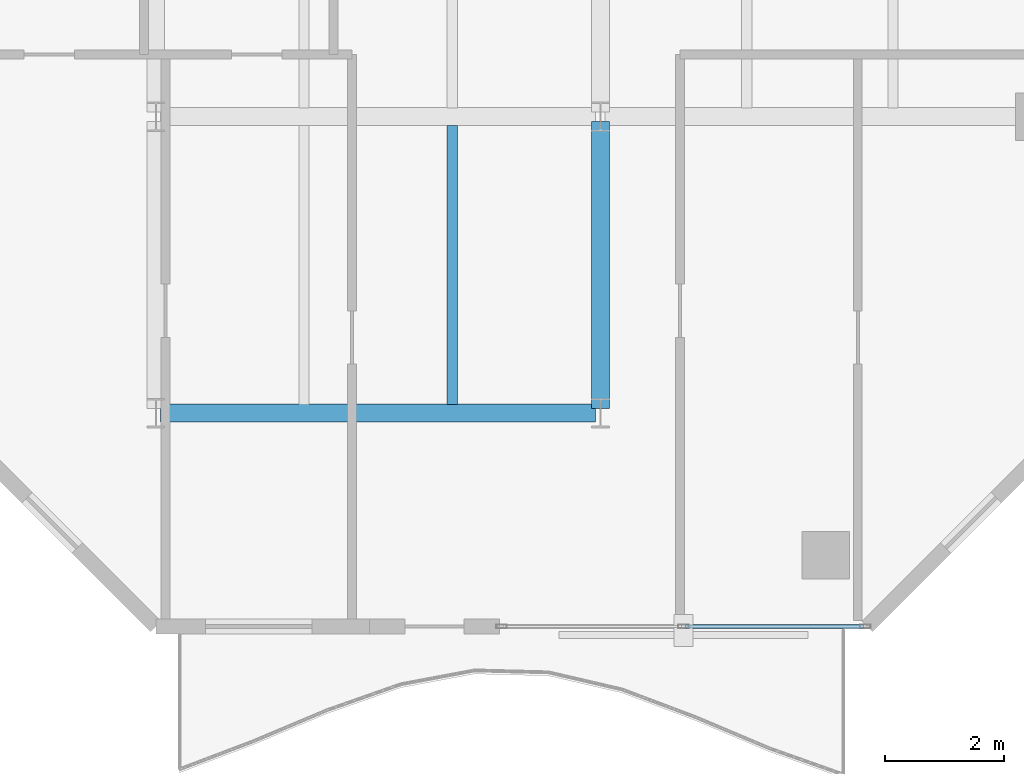
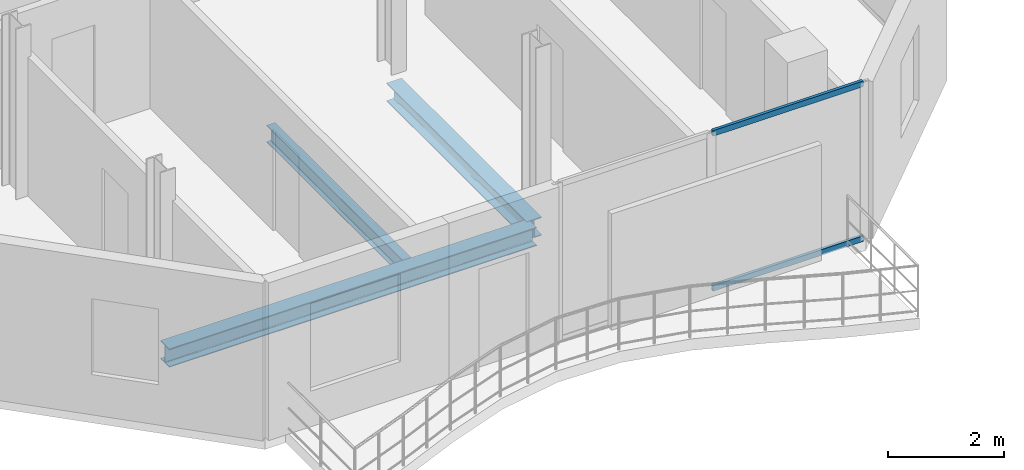
# One storey, part 4 of 24: 3 beams, 2 members, 1 element without a shape of its own.
"""IFC4 building model written with IfcOpenShell, lengths in metres."""

from ifc_helpers import new_model, si_unit, direction, frame, origin, origin_2d, place, context, subcontext, project, spatial, hollow_rectangle, i_section, extrude, material, layer, layer_set, material_profile, profile_set, type_object, element, aggregate, save


model = new_model("IFC4")

# Units and contexts
model_context = context("Model", 3, precision=1e-05, world=origin(), true_north=direction((0.0, 1.0)))
body_context = subcontext(model_context, "Body", "Model", "MODEL_VIEW")
ifc_project = project(units=[si_unit("LENGTHUNIT", "METRE"), si_unit("AREAUNIT", "SQUARE_METRE"), si_unit("VOLUMEUNIT", "CUBIC_METRE"), si_unit("PLANEANGLEUNIT", "RADIAN"), si_unit("MASSUNIT", "GRAM", prefix="KILO")], contexts=[model_context])

# Site, building, storey
site_placement = place(None, origin())
site = spatial("IfcSite", under=ifc_project, at=site_placement, CompositionType="ELEMENT")
building_placement = place(site_placement, origin())
building = spatial("IfcBuilding", under=site, at=building_placement, Name="Catumbela Crestline Tower", CompositionType="ELEMENT")
storey_placement = place(building_placement, frame((0.0, 0.0, 157.8)))
storey = spatial("IfcBuildingStorey", under=building, at=storey_placement, Name="L40", CompositionType="ELEMENT", Elevation=157.8)

# Beams
ifc_material_1 = material(Name="Structural steel S355J2", Category="steel")
ifc_material_profile_1 = material_profile(ifc_material_1, i_section(OverallWidth=0.3, OverallDepth=0.39, WebThickness=0.011, FlangeThickness=0.019, FilletRadius=0.027, at=origin_2d()), Name="HEA 400")
ifc_profile_set_1 = profile_set([ifc_material_profile_1], Name="Structural steel S355J2")
beam_type_1 = type_object("IfcBeamType", Name="BG-HEA400", PredefinedType="BEAM", material=ifc_profile_set_1)
beam_1_placement = place(storey_placement, frame((8.58, 8.6, -0.455), z_axis=(1.0, 0.0, 0.0), x_axis=(0.0, 1.0, 0.0)))
element("IfcBeam", 1, at=beam_1_placement, inside=storey, type_object=beam_type_1, Name="L40 Beam BM-L40-WEW32", PredefinedType="BEAM", context=body_context, shape_type="SweptSolid", body=[
    extrude(i_section(OverallWidth=0.3, OverallDepth=0.39, WebThickness=0.011, FlangeThickness=0.019, FilletRadius=0.027, at=origin_2d()), origin(), (0.0, 0.0, 1.0), 7.34),
])
beam_2_placement = place(storey_placement, frame((16.0, 8.68, -0.455), z_axis=(0.0, 1.0, 0.0), x_axis=(-1.0, 0.0, 0.0)))
element("IfcBeam", 2, at=beam_2_placement, inside=storey, type_object=beam_type_1, Name="L40 Beam BM-L40-WNS40", PredefinedType="BEAM", context=body_context, shape_type="SweptSolid", body=[
    extrude(i_section(OverallWidth=0.3, OverallDepth=0.39, WebThickness=0.011, FlangeThickness=0.019, FilletRadius=0.027, at=origin_2d()), origin(), (0.0, 0.0, 1.0), 4.84),
])
ifc_material_profile_2 = material_profile(ifc_material_1, i_section(OverallWidth=0.17, OverallDepth=0.36, WebThickness=0.008, FlangeThickness=0.0127, FilletRadius=0.018, at=origin_2d()), Name="IPE 360")
ifc_profile_set_2 = profile_set([ifc_material_profile_2], Name="Structural steel S355J2")
beam_type_2 = type_object("IfcBeamType", Name="BJ-IPE360", PredefinedType="JOIST", material=ifc_profile_set_2)
beam_3_placement = place(storey_placement, frame((13.5, 8.747, -0.44), z_axis=(0.0, 1.0, 0.0), x_axis=(-1.0, 0.0, 0.0)))
element("IfcBeam", 3, at=beam_3_placement, inside=storey, type_object=beam_type_2, Name="L40 Joist JS-L40-WG45", PredefinedType="JOIST", context=body_context, shape_type="SweptSolid", body=[
    extrude(i_section(OverallWidth=0.17, OverallDepth=0.36, WebThickness=0.008, FlangeThickness=0.0127, FilletRadius=0.018, at=origin_2d()), origin(), (0.0, 0.0, 1.0), 4.706),
])

# Curtain wall, members
ifc_material_2 = material(Name="Aluminium alloy AW-6060-T66", Category="aluminium")
ifc_layer = layer(ifc_material_2, 0.18, Name="Aluminium alloy AW-6060-T66")
ifc_layer_set = layer_set([ifc_layer], Name="Aluminium alloy AW-6060-T66")
curtain_wall_type = type_object("IfcCurtainWallType", Name="CWU-Z3", PredefinedType="USERDEFINED", material=ifc_layer_set)
curtain_wall_placement = place(storey_placement, origin())
curtain_wall = element("IfcCurtainWall", 4, at=curtain_wall_placement, inside=storey, type_object=curtain_wall_type, Name="L40 Unitised Curtain Wall CW-L40-E0S2", ObjectType="UNITISED", PredefinedType="USERDEFINED")
ifc_material_profile_3 = material_profile(ifc_material_2, hollow_rectangle(XDim=0.06, YDim=0.12, WallThickness=0.0035, at=origin_2d()), Name="ALU 120x60x3.5")
ifc_profile_set_3 = profile_set([ifc_material_profile_3], Name="Aluminium alloy AW-6060-T66")
member_type = type_object("IfcMemberType", Name="TRN-120X60", PredefinedType="USERDEFINED", material=ifc_profile_set_3)
member_1_placement = place(storey_placement, frame((17.4325, 5.0, 0.03), z_axis=(1.0, 0.0, 0.0), x_axis=(0.0, 1.0, 0.0)))
member_1 = element("IfcMember", 5, at=member_1_placement, type_object=member_type, Name="CWU-Z3 transom 2.1", ObjectType="TRANSOM", PredefinedType="USERDEFINED", context=body_context, shape_type="SweptSolid", body=[
    extrude(hollow_rectangle(XDim=0.06, YDim=0.12, WallThickness=0.0035, at=origin_2d()), origin(), (0.0, 0.0, 1.0), 3.0025),
])
member_2_placement = place(storey_placement, frame((17.4325, 5.0, 3.3), z_axis=(1.0, 0.0, 0.0), x_axis=(0.0, 1.0, 0.0)))
member_2 = element("IfcMember", 6, at=member_2_placement, type_object=member_type, Name="CWU-Z3 transom 2.2", ObjectType="TRANSOM", PredefinedType="USERDEFINED", context=body_context, shape_type="SweptSolid", body=[
    extrude(hollow_rectangle(XDim=0.06, YDim=0.12, WallThickness=0.0035, at=origin_2d()), origin(), (0.0, 0.0, 1.0), 3.0025),
])
aggregate(curtain_wall, [member_1, member_2])

save(model, "model.ifc")
